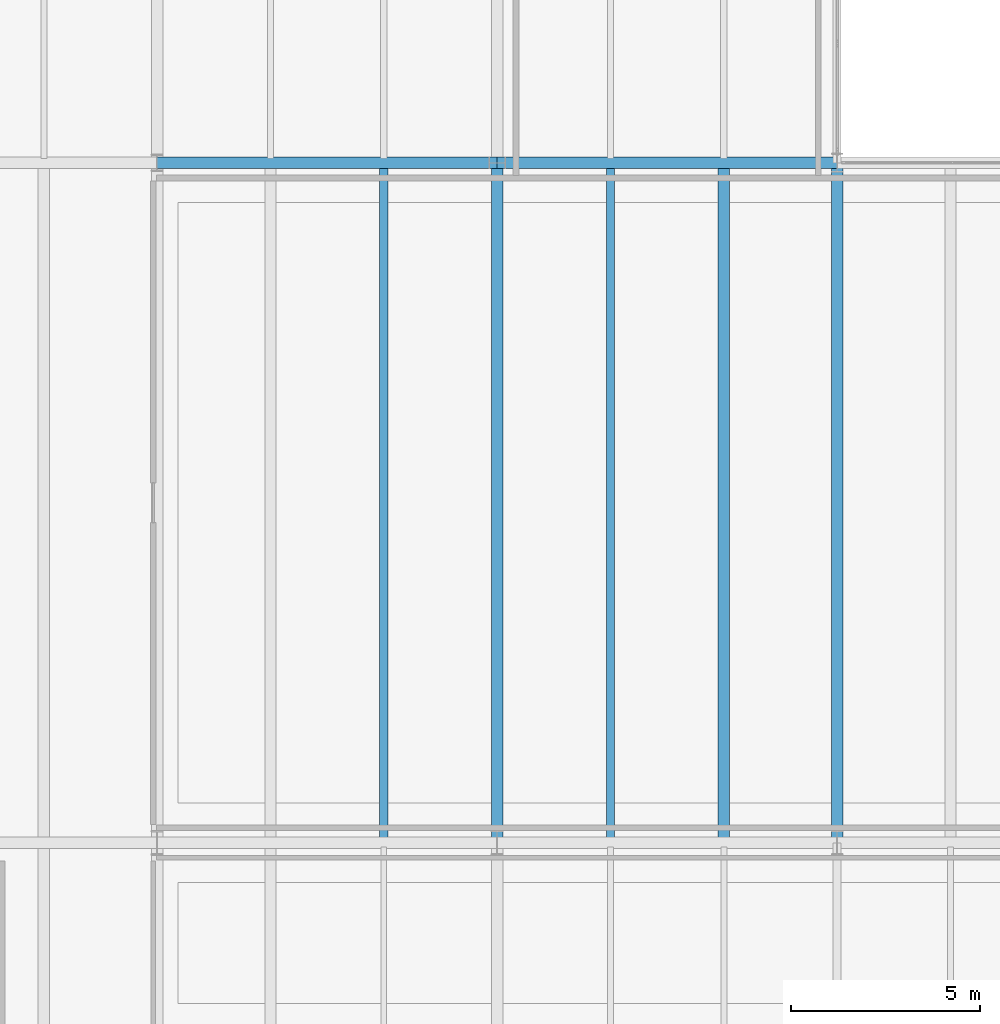
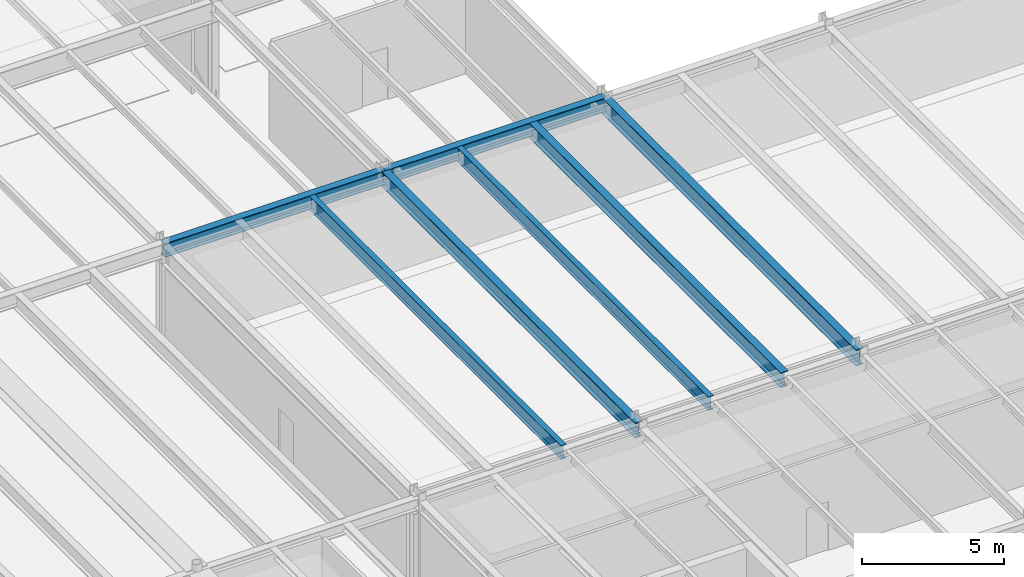
# One storey, part 41 of 127: 7 beams.
"""IFC4 building model written with IfcOpenShell, lengths in metres."""

from ifc_helpers import new_model, si_unit, direction, frame, origin, origin_2d, place, context, subcontext, project, spatial, i_section, extrude, material, material_profile, profile_set, type_object, element, save


model = new_model("IFC4")

# Units and contexts
model_context = context("Model", 3, precision=1e-05, world=origin(), true_north=direction((0.0, 1.0)))
body_context = subcontext(model_context, "Body", "Model", "MODEL_VIEW")
ifc_project = project(units=[si_unit("LENGTHUNIT", "METRE"), si_unit("AREAUNIT", "SQUARE_METRE"), si_unit("VOLUMEUNIT", "CUBIC_METRE"), si_unit("PLANEANGLEUNIT", "RADIAN"), si_unit("MASSUNIT", "GRAM", prefix="KILO")], contexts=[model_context])

# Site, building, storey
site_placement = place(None, origin())
site = spatial("IfcSite", under=ifc_project, at=site_placement, CompositionType="ELEMENT")
building_placement = place(site_placement, origin())
building = spatial("IfcBuilding", under=site, at=building_placement, Name="Montelvaro Courts of Justice", CompositionType="ELEMENT")
storey_placement = place(building_placement, frame((0.0, 0.0, 5.39990234375)))
storey = spatial("IfcBuildingStorey", under=building, at=storey_placement, Name="L01", CompositionType="ELEMENT", Elevation=5.39990234375)

# Beams
ifc_material = material(Name="Steel S355", Category="steel")
ifc_material_profile_1 = material_profile(ifc_material, i_section(OverallWidth=0.300048828125, OverallDepth=0.60009765625, WebThickness=0.015380859375, FlangeThickness=0.030029296875, at=origin_2d()), Name="HEB 600")
ifc_profile_set_1 = profile_set([ifc_material_profile_1], Name="Steel S355")
beam_type_1 = type_object("IfcBeamType", Name="Beam_HEB600", PredefinedType="USERDEFINED", material=ifc_profile_set_1)
for number, where, z_axis, x_axis, name in (
    (1, (108.0, 42.0, 3.920166015625), (1.0, 0.0, 0.0), (0.0, 1.0, 0.0), "Beam B-26 L01"),
    (2, (117.0, 42.0, 3.920166015625), (1.0, 0.0, 0.0), (0.0, 1.0, 0.0), "Beam B-26 L01"),
):
    element("IfcBeam", number, at=place(storey_placement, frame(where, z_axis=z_axis, x_axis=x_axis)), inside=storey, type_object=beam_type_1, Name=name, ObjectType="GIRDER", PredefinedType="USERDEFINED", context=body_context, shape_type="SweptSolid", body=[
        extrude(i_section(OverallWidth=0.300048828125, OverallDepth=0.60009765625, WebThickness=0.015380859375, FlangeThickness=0.030029296875, at=origin_2d()), origin(), (0.0, 0.0, 1.0), 9.0),
    ])
ifc_material_profile_2 = material_profile(ifc_material, i_section(OverallWidth=0.300048828125, OverallDepth=0.64990234375, WebThickness=0.01611328125, FlangeThickness=0.031005859375, at=origin_2d()), Name="HEB 650")
ifc_profile_set_2 = profile_set([ifc_material_profile_2], Name="Steel S355")
beam_type_2 = type_object("IfcBeamType", Name="Beam_HEB650", PredefinedType="USERDEFINED", material=ifc_profile_set_2)
beam_1_placement = place(storey_placement, frame((117.0, 24.0, 3.89501953125), z_axis=(0.0, 1.0, 0.0), x_axis=(-1.0, 0.0, 0.0)))
element("IfcBeam", 3, at=beam_1_placement, inside=storey, type_object=beam_type_2, Name="Beam B-27 L01", ObjectType="GIRDER", PredefinedType="USERDEFINED", context=body_context, shape_type="SweptSolid", body=[
    extrude(i_section(OverallWidth=0.300048828125, OverallDepth=0.64990234375, WebThickness=0.01611328125, FlangeThickness=0.031005859375, at=origin_2d()), origin(), (0.0, 0.0, 1.0), 18.0),
])
beam_2_placement = place(storey_placement, frame((123.0, 24.110107421875, 3.89501953125), z_axis=(0.0, 1.0, 0.0), x_axis=(-1.0, 0.0, 0.0)))
element("IfcBeam", 4, at=beam_2_placement, inside=storey, type_object=beam_type_2, Name="Beam B-27 L01", ObjectType="GIRDER", PredefinedType="USERDEFINED", context=body_context, shape_type="SweptSolid", body=[
    extrude(i_section(OverallWidth=0.300048828125, OverallDepth=0.64990234375, WebThickness=0.01611328125, FlangeThickness=0.031005859375, at=origin_2d()), origin(), (0.0, 0.0, 1.0), 17.77978515625),
])
ifc_material_profile_3 = material_profile(ifc_material, i_section(OverallWidth=0.300048828125, OverallDepth=0.699951171875, WebThickness=0.01708984375, FlangeThickness=0.031982421875, at=origin_2d()), Name="HEB 700")
ifc_profile_set_3 = profile_set([ifc_material_profile_3], Name="Steel S355")
beam_type_3 = type_object("IfcBeamType", Name="Beam_HEB700", PredefinedType="USERDEFINED", material=ifc_profile_set_3)
beam_3_placement = place(storey_placement, frame((126.0, 24.0, 3.8701171875), z_axis=(0.0, 1.0, 0.0), x_axis=(-1.0, 0.0, 0.0)))
element("IfcBeam", 5, at=beam_3_placement, inside=storey, type_object=beam_type_3, Name="Beam B-28 L01", ObjectType="GIRDER", PredefinedType="USERDEFINED", context=body_context, shape_type="SweptSolid", body=[
    extrude(i_section(OverallWidth=0.300048828125, OverallDepth=0.699951171875, WebThickness=0.01708984375, FlangeThickness=0.031982421875, at=origin_2d()), origin(), (0.0, 0.0, 1.0), 18.0),
])
ifc_material_profile_4 = material_profile(ifc_material, i_section(OverallWidth=0.219970703125, OverallDepth=0.60009765625, WebThickness=0.011962890625, FlangeThickness=0.01904296875, at=origin_2d()), Name="IPE 600")
ifc_profile_set_4 = profile_set([ifc_material_profile_4], Name="Steel S355")
beam_type_4 = type_object("IfcBeamType", Name="Beam_IPE600", PredefinedType="USERDEFINED", material=ifc_profile_set_4)
for number, where, z_axis, x_axis, name in (
    (6, (114.0, 24.110107421875, 3.920166015625), (0.0, 1.0, 0.0), (-1.0, 0.0, 0.0), "Beam B-12 L01"),
    (7, (120.0, 24.110107421875, 3.920166015625), (0.0, 1.0, 0.0), (-1.0, 0.0, 0.0), "Beam B-12 L01"),
):
    element("IfcBeam", number, at=place(storey_placement, frame(where, z_axis=z_axis, x_axis=x_axis)), inside=storey, type_object=beam_type_4, Name=name, ObjectType="GIRDER", PredefinedType="USERDEFINED", context=body_context, shape_type="SweptSolid", body=[
        extrude(i_section(OverallWidth=0.219970703125, OverallDepth=0.60009765625, WebThickness=0.011962890625, FlangeThickness=0.01904296875, at=origin_2d()), origin(), (0.0, 0.0, 1.0), 17.77978515625),
    ])

save(model, "model.ifc")
